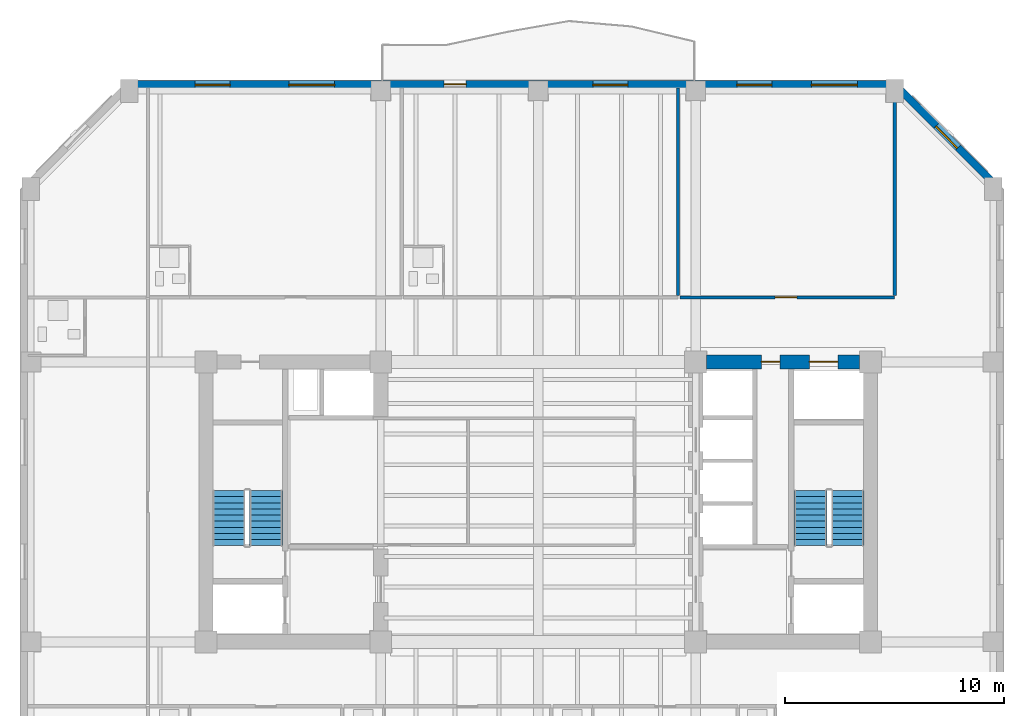
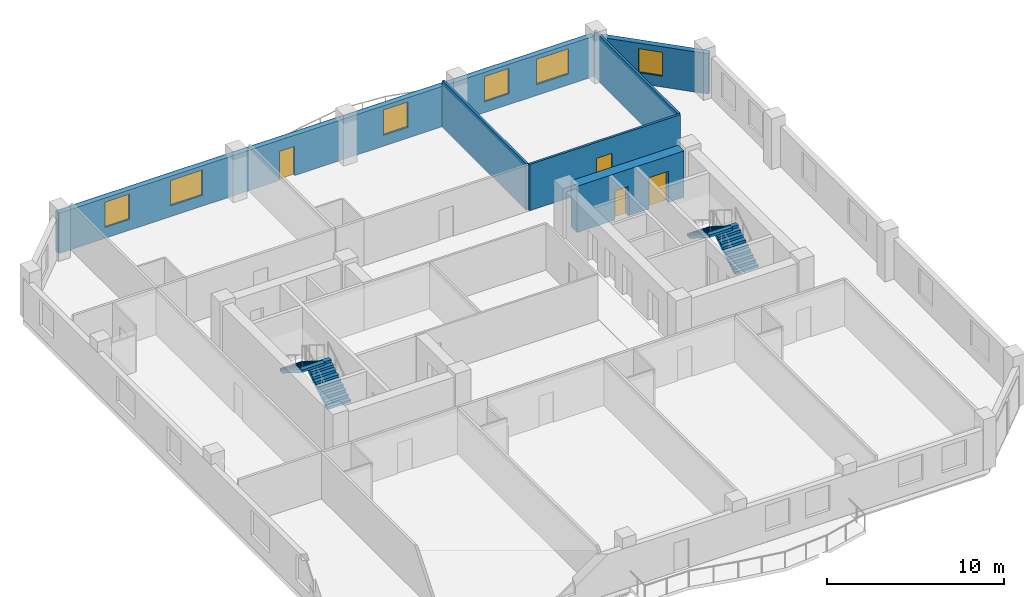
# One storey, part 5 of 10: 6 walls, 6 windows, 4 doors, 4 stair flights, 10 openings, 2 elements without a shape of their own.
"""IFC4 building model written with IfcOpenShell, lengths in metres."""

from ifc_helpers import new_model, si_unit, direction, frame, frame_2d, origin, place, context, subcontext, project, spatial, polyline, rectangle, outline, extrude, material, layer, layer_set, type_object, element, fill, aggregate, save


model = new_model("IFC4")

# Units and contexts
model_context = context("Model", 3, precision=1e-05, world=origin(), true_north=direction((0.0, 1.0)))
body_context = subcontext(model_context, "Body", "Model", "MODEL_VIEW")
ifc_project = project(units=[si_unit("LENGTHUNIT", "METRE"), si_unit("AREAUNIT", "SQUARE_METRE"), si_unit("VOLUMEUNIT", "CUBIC_METRE"), si_unit("PLANEANGLEUNIT", "RADIAN"), si_unit("MASSUNIT", "GRAM", prefix="KILO")], contexts=[model_context])

# Site, building, storey
site_placement = place(None, origin())
site = spatial("IfcSite", under=ifc_project, at=site_placement, CompositionType="ELEMENT")
building_placement = place(site_placement, origin())
building = spatial("IfcBuilding", under=site, at=building_placement, Name="Kranthara Brick Stack", CompositionType="ELEMENT")
storey_placement = place(building_placement, frame((0.0, 0.0, 127.300048828125)))
storey = spatial("IfcBuildingStorey", under=building, at=storey_placement, Name="L31", CompositionType="ELEMENT", Elevation=127.300048828125)

# Wall, openings, door, windows
ifc_material_1 = material(Name="Kiln-fired clay brick masonry M15", Category="masonry")
ifc_layer_1 = layer(ifc_material_1, 0.35009765625)
ifc_layer_set_1 = layer_set([ifc_layer_1], Name="Kiln-fired clay brick masonry M15")
wall_type_1 = type_object("IfcWallType", Name="WL-BRK-SPND-350", PredefinedType="STANDARD", material=ifc_layer_set_1)
wall_1_placement = place(storey_placement, frame((9.300048828125, 46.304931640625, 0.0), z_axis=(0.0, 0.0, 1.0), x_axis=(1.0, 0.0, 0.0)))
wall_1 = element("IfcWall", 1, at=wall_1_placement, inside=storey, type_object=wall_type_1, Name="L31 Exterior Brick Facade Wall NORTH 1", PredefinedType="STANDARD", context=body_context, shape_type="SweptSolid", body=[
    extrude(rectangle(XDim=35.0, YDim=0.35009765625, at=frame_2d((17.5, 0.0))), origin(), (0.0, 0.0, 1.0), 2.784912109375),
])
opening_1_placement = place(wall_1_placement, frame((14.39990234375, 0.0, 0.0)))
opening_1 = element("IfcOpeningElement", 2, at=opening_1_placement, cuts=wall_1, Name="Opening D03", PredefinedType="OPENING", context=body_context, shape_type="SweptSolid", body=[
    extrude(rectangle(XDim=1.0, YDim=2.02001953125, at=frame_2d((0.5, 1.010009765625))), frame((0.0, 0.18505859375, 0.0), z_axis=(0.0, -1.0, 0.0), x_axis=(1.0, 0.0, 0.0)), (0.0, 0.0, 1.0), 0.3701171875),
])
opening_2_placement = place(wall_1_placement, frame((3.007080078125, 0.0, 0.75)))
opening_2 = element("IfcOpeningElement", 3, at=opening_2_placement, cuts=wall_1, Name="Opening WN04", PredefinedType="OPENING", context=body_context, shape_type="SweptSolid", body=[
    extrude(rectangle(XDim=1.60009765625, YDim=1.75, at=frame_2d((0.800048828125, 0.875))), frame((0.0, 0.18505859375, 0.0), z_axis=(0.0, -1.0, 0.0), x_axis=(1.0, 0.0, 0.0)), (0.0, 0.0, 1.0), 0.3701171875),
])
opening_3_placement = place(wall_1_placement, frame((7.29296875, 0.0, 0.75)))
opening_3 = element("IfcOpeningElement", 4, at=opening_3_placement, cuts=wall_1, Name="Opening WN05", PredefinedType="OPENING", context=body_context, shape_type="SweptSolid", body=[
    extrude(rectangle(XDim=2.10009765625, YDim=1.75, at=frame_2d((1.050048828125, 0.875))), frame((0.0, 0.18505859375, 0.0), z_axis=(0.0, -1.0, 0.0), x_axis=(1.0, 0.0, 0.0)), (0.0, 0.0, 1.0), 0.3701171875),
])
opening_4_placement = place(wall_1_placement, frame((21.197998046875, 0.0, 0.75)))
opening_4 = element("IfcOpeningElement", 5, at=opening_4_placement, cuts=wall_1, Name="Opening WN04", PredefinedType="OPENING", context=body_context, shape_type="SweptSolid", body=[
    extrude(rectangle(XDim=1.60009765625, YDim=1.75, at=frame_2d((0.800048828125, 0.875))), frame((0.0, 0.18505859375, 0.0), z_axis=(0.0, -1.0, 0.0), x_axis=(1.0, 0.0, 0.0)), (0.0, 0.0, 1.0), 0.3701171875),
])
opening_5_placement = place(wall_1_placement, frame((27.782958984375, 0.0, 0.75)))
opening_5 = element("IfcOpeningElement", 6, at=opening_5_placement, cuts=wall_1, Name="Opening WN04", PredefinedType="OPENING", context=body_context, shape_type="SweptSolid", body=[
    extrude(rectangle(XDim=1.60009765625, YDim=1.75, at=frame_2d((0.800048828125, 0.875))), frame((0.0, 0.18505859375, 0.0), z_axis=(0.0, -1.0, 0.0), x_axis=(1.0, 0.0, 0.0)), (0.0, 0.0, 1.0), 0.3701171875),
])
opening_6_placement = place(wall_1_placement, frame((31.19189453125, 0.0, 0.75)))
opening_6 = element("IfcOpeningElement", 7, at=opening_6_placement, cuts=wall_1, Name="Opening WN05", PredefinedType="OPENING", context=body_context, shape_type="SweptSolid", body=[
    extrude(rectangle(XDim=2.10009765625, YDim=1.75, at=frame_2d((1.050048828125, 0.875))), frame((0.0, 0.18505859375, 0.0), z_axis=(0.0, -1.0, 0.0), x_axis=(1.0, 0.0, 0.0)), (0.0, 0.0, 1.0), 0.3701171875),
])
ifc_material_2 = material(Name="Bronze anodised aluminium and laminated glass", Category="aluminium")
door_type_1 = type_object("IfcDoorType", Name="DR-BALC-1000", OperationType="NOTDEFINED", PredefinedType="DOOR", material=ifc_material_2)
door_1_placement = place(opening_1_placement, origin())
door_1 = element("IfcDoor", 8, at=door_1_placement, inside=storey, type_object=door_type_1, Name="L31 North Balcony Terrace Door", OperationType="SINGLE_SWING_RIGHT", OverallHeight=2.02001953125, OverallWidth=1.0, PredefinedType="DOOR", context=body_context, shape_type="SweptSolid", body=[
    extrude(rectangle(XDim=1.0, YDim=2.02001953125, at=frame_2d((0.5, 1.010009765625))), frame((0.0, 0.02490234375, 0.0), z_axis=(0.0, -1.0, 0.0), x_axis=(1.0, 0.0, 0.0)), (0.0, 0.0, 1.0), 0.050048828125),
])
fill(opening_1, door_1)
ifc_material_3 = material(Name="Double-glazed low-E solar control glass", Category="glass")
window_type_1 = type_object("IfcWindowType", Name="WN-HTL-1600x1850", PartitioningType="DOUBLE_PANEL_VERTICAL", PredefinedType="WINDOW", material=ifc_material_3)
window_1_placement = place(opening_2_placement, origin())
window_1 = element("IfcWindow", 9, at=window_1_placement, inside=storey, type_object=window_type_1, Name="L31 North Deep-Set Brick Window 01", OverallHeight=1.75, OverallWidth=1.60009765625, PartitioningType="SINGLE_PANEL", PredefinedType="WINDOW", context=body_context, shape_type="SweptSolid", body=[
    extrude(rectangle(XDim=1.60009765625, YDim=1.75, at=frame_2d((0.800048828125, 0.875))), frame((0.0, -0.010009765625, 0.0), z_axis=(0.0, -1.0, 0.0), x_axis=(1.0, 0.0, 0.0)), (0.0, 0.0, 1.0), 0.06005859375),
])
fill(opening_2, window_1)
window_2_placement = place(opening_4_placement, origin())
window_2 = element("IfcWindow", 10, at=window_2_placement, inside=storey, type_object=window_type_1, Name="L31 North Deep-Set Brick Window 03", OverallHeight=1.75, OverallWidth=1.60009765625, PartitioningType="SINGLE_PANEL", PredefinedType="WINDOW", context=body_context, shape_type="SweptSolid", body=[
    extrude(rectangle(XDim=1.60009765625, YDim=1.75, at=frame_2d((0.800048828125, 0.875))), frame((0.0, -0.010009765625, 0.0), z_axis=(0.0, -1.0, 0.0), x_axis=(1.0, 0.0, 0.0)), (0.0, 0.0, 1.0), 0.06005859375),
])
fill(opening_4, window_2)
window_3_placement = place(opening_5_placement, origin())
window_3 = element("IfcWindow", 11, at=window_3_placement, inside=storey, type_object=window_type_1, Name="L31 North Deep-Set Brick Window 04", OverallHeight=1.75, OverallWidth=1.60009765625, PartitioningType="SINGLE_PANEL", PredefinedType="WINDOW", context=body_context, shape_type="SweptSolid", body=[
    extrude(rectangle(XDim=1.60009765625, YDim=1.75, at=frame_2d((0.800048828125, 0.875))), frame((0.0, -0.010009765625, 0.0), z_axis=(0.0, -1.0, 0.0), x_axis=(1.0, 0.0, 0.0)), (0.0, 0.0, 1.0), 0.06005859375),
])
fill(opening_5, window_3)
ifc_material_4 = material(Name="Double-glazed low-E solar control glass", Category="glass")
window_type_2 = type_object("IfcWindowType", Name="WN-HTL-2100x1850", PartitioningType="DOUBLE_PANEL_VERTICAL", PredefinedType="WINDOW", material=ifc_material_4)
window_4_placement = place(opening_3_placement, origin())
window_4 = element("IfcWindow", 12, at=window_4_placement, inside=storey, type_object=window_type_2, Name="L31 North Deep-Set Brick Window 02", OverallHeight=1.75, OverallWidth=2.10009765625, PartitioningType="SINGLE_PANEL", PredefinedType="WINDOW", context=body_context, shape_type="SweptSolid", body=[
    extrude(rectangle(XDim=2.10009765625, YDim=1.75, at=frame_2d((1.050048828125, 0.875))), frame((0.0, -0.010009765625, 0.0), z_axis=(0.0, -1.0, 0.0), x_axis=(1.0, 0.0, 0.0)), (0.0, 0.0, 1.0), 0.06005859375),
])
fill(opening_3, window_4)
window_5_placement = place(opening_6_placement, origin())
window_5 = element("IfcWindow", 13, at=window_5_placement, inside=storey, type_object=window_type_2, Name="L31 North Deep-Set Brick Window 05", OverallHeight=1.75, OverallWidth=2.10009765625, PartitioningType="SINGLE_PANEL", PredefinedType="WINDOW", context=body_context, shape_type="SweptSolid", body=[
    extrude(rectangle(XDim=2.10009765625, YDim=1.75, at=frame_2d((1.050048828125, 0.875))), frame((0.0, -0.010009765625, 0.0), z_axis=(0.0, -1.0, 0.0), x_axis=(1.0, 0.0, 0.0)), (0.0, 0.0, 1.0), 0.06005859375),
])
fill(opening_6, window_5)

# Wall, opening, window
wall_2_placement = place(storey_placement, frame((44.300048828125, 46.304931640625, 0.0), z_axis=(0.0, 0.0, 1.0), x_axis=(0.707106781187, -0.707106781187, 0.0)))
wall_2 = element("IfcWall", 14, at=wall_2_placement, inside=storey, type_object=wall_type_1, Name="L31 Exterior Brick Facade Wall NE 1", PredefinedType="STANDARD", context=body_context, shape_type="SweptSolid", body=[
    extrude(rectangle(XDim=6.795166015625, YDim=0.35009765625, at=frame_2d((3.3974609375, 0.0))), origin(), (0.0, 0.0, 1.0), 2.784912109375),
])
opening_7_placement = place(wall_2_placement, frame((2.697998046875, 0.0, 0.75)))
opening_7 = element("IfcOpeningElement", 15, at=opening_7_placement, cuts=wall_2, Name="Opening WN10", PredefinedType="OPENING", context=body_context, shape_type="SweptSolid", body=[
    extrude(rectangle(XDim=1.39990234375, YDim=1.64990234375, at=frame_2d((0.699951171875, 0.824951171875))), frame((0.0, 0.18505859375, 0.0), z_axis=(0.0, -1.0, 0.0), x_axis=(1.0, 0.0, 0.0)), (0.0, 0.0, 1.0), 0.3701171875),
])
ifc_material_5 = material(Name="Double-glazed low-E solar control glass", Category="glass")
window_type_3 = type_object("IfcWindowType", Name="WN-CHM-1400x1750", PartitioningType="SINGLE_PANEL", PredefinedType="WINDOW", material=ifc_material_5)
window_6_placement = place(opening_7_placement, origin())
window_6 = element("IfcWindow", 16, at=window_6_placement, inside=storey, type_object=window_type_3, Name="L31 NE Chamfer Corner Window", OverallHeight=1.64990234375, OverallWidth=1.39990234375, PartitioningType="SINGLE_PANEL", PredefinedType="WINDOW", context=body_context, shape_type="SweptSolid", body=[
    extrude(rectangle(XDim=1.39990234375, YDim=1.64990234375, at=frame_2d((0.699951171875, 0.824951171875))), frame((0.0, -0.010009765625, 0.0), z_axis=(0.0, -1.0, 0.0), x_axis=(1.0, 0.0, 0.0)), (0.0, 0.0, 1.0), 0.06005859375),
])
fill(opening_7, window_6)

# Wall, openings, doors
ifc_material_6 = material(Name="Concrete C60/75", Category="concrete")
ifc_layer_2 = layer(ifc_material_6, 0.64990234375)
ifc_layer_set_2 = layer_set([ifc_layer_2], Name="Concrete C60/75")
wall_type_2 = type_object("IfcWallType", Name="WL-CORE-650", PredefinedType="SHEAR", material=ifc_layer_set_2)
wall_3_placement = place(storey_placement, frame((35.705078125, 33.60009765625, 0.0), z_axis=(0.0, 0.0, 1.0), x_axis=(1.0, 0.0, 0.0)))
wall_3 = element("IfcWall", 17, at=wall_3_placement, inside=storey, type_object=wall_type_2, Name="L31 East Core Shear Wall North", PredefinedType="SHEAR", context=body_context, shape_type="SweptSolid", body=[
    extrude(rectangle(XDim=6.989990234375, YDim=0.64990234375, at=frame_2d((3.4951171875, 0.0))), origin(), (0.0, 0.0, 1.0), 3.199951171875),
])
opening_8_placement = place(wall_3_placement, frame((4.695068359375, 0.0, 0.0)))
opening_8 = element("IfcOpeningElement", 18, at=opening_8_placement, cuts=wall_3, Name="Opening LD03", PredefinedType="OPENING", context=body_context, shape_type="SweptSolid", body=[
    extrude(rectangle(XDim=1.300048828125, YDim=2.14990234375, at=frame_2d((0.64990234375, 1.074951171875))), frame((0.0, 0.3349609375, 0.0), z_axis=(0.0, -1.0, 0.0), x_axis=(1.0, 0.0, 0.0)), (0.0, 0.0, 1.0), 0.669921875),
])
opening_9_placement = place(wall_3_placement, frame((2.4951171875, 0.0, 0.0)))
opening_9 = element("IfcOpeningElement", 19, at=opening_9_placement, cuts=wall_3, Name="Opening D10", PredefinedType="OPENING", context=body_context, shape_type="SweptSolid", body=[
    extrude(rectangle(XDim=0.85009765625, YDim=2.02001953125, at=frame_2d((0.425048828125, 1.010009765625))), frame((0.0, 0.3349609375, 0.0), z_axis=(0.0, -1.0, 0.0), x_axis=(1.0, 0.0, 0.0)), (0.0, 0.0, 1.0), 0.669921875),
])
ifc_material_7 = material(Name="Stainless steel sliding landing door", Category="steel")
door_type_2 = type_object("IfcDoorType", Name="DR-LD-SV1300", OperationType="DOUBLE_DOOR_SLIDING", PredefinedType="DOOR", material=ifc_material_7)
door_2_placement = place(opening_8_placement, origin())
door_2 = element("IfcDoor", 20, at=door_2_placement, inside=storey, type_object=door_type_2, Name="L31 Stretcher Service Lift SV-01 Landing Door", OperationType="DOUBLE_DOOR_SLIDING", OverallHeight=2.14990234375, OverallWidth=1.300048828125, PredefinedType="DOOR", context=body_context, shape_type="SweptSolid", body=[
    extrude(rectangle(XDim=1.300048828125, YDim=2.14990234375, at=frame_2d((0.64990234375, 1.074951171875))), frame((0.0, 0.02490234375, 0.0), z_axis=(0.0, -1.0, 0.0), x_axis=(1.0, 0.0, 0.0)), (0.0, 0.0, 1.0), 0.050048828125),
])
fill(opening_8, door_2)
ifc_material_8 = material(Name="Solid-core hardwood timber leaf in steel frame", Category="steel")
door_type_3 = type_object("IfcDoorType", Name="DR-RSR-850", OperationType="NOTDEFINED", PredefinedType="DOOR", material=ifc_material_8)
door_3_placement = place(opening_9_placement, origin())
door_3 = element("IfcDoor", 21, at=door_3_placement, inside=storey, type_object=door_type_3, Name="L31 East Core Service Room Door", OperationType="SINGLE_SWING_LEFT", OverallHeight=2.02001953125, OverallWidth=0.85009765625, PredefinedType="DOOR", context=body_context, shape_type="SweptSolid", body=[
    extrude(rectangle(XDim=0.85009765625, YDim=2.02001953125, at=frame_2d((0.425048828125, 1.010009765625))), frame((0.0, 0.02490234375, 0.0), z_axis=(0.0, -1.0, 0.0), x_axis=(1.0, 0.0, 0.0)), (0.0, 0.0, 1.0), 0.050048828125),
])
fill(opening_9, door_3)

# Wall
ifc_material_9 = material(Name="Fire-rated gypsum board partition", Category="other")
ifc_layer_3 = layer(ifc_material_9, 0.14990234375)
ifc_layer_set_3 = layer_set([ifc_layer_3], Name="Fire-rated gypsum board partition")
wall_type_3 = type_object("IfcWallType", Name="WL-PART-150", PredefinedType="PARTITIONING", material=ifc_layer_set_3)
wall_4_placement = place(storey_placement, frame((34.39599609375, 36.6298828125, 0.0), z_axis=(0.0, 0.0, 1.0), x_axis=(0.0, 1.0, 0.0)))
element("IfcWall", 22, at=wall_4_placement, inside=storey, type_object=wall_type_3, Name="L31 Interior Partition 036", PredefinedType="PARTITIONING", context=body_context, shape_type="SweptSolid", body=[
    extrude(rectangle(XDim=9.4951171875, YDim=0.14990234375, at=frame_2d((4.74755859375, 0.0))), origin(), (0.0, 0.0, 1.0), 3.199951171875),
])

# Wall, opening, door
wall_5_placement = place(storey_placement, frame((34.47607421875, 36.550048828125, 0.0), z_axis=(0.0, 0.0, 1.0), x_axis=(1.0, 0.0, 0.0)))
wall_5 = element("IfcWall", 23, at=wall_5_placement, inside=storey, type_object=wall_type_3, Name="L31 Interior Partition 037", PredefinedType="PARTITIONING", context=body_context, shape_type="SweptSolid", body=[
    extrude(rectangle(XDim=9.823974609375, YDim=0.14990234375, at=frame_2d((4.912109375, 0.0))), origin(), (0.0, 0.0, 1.0), 3.199951171875),
])
opening_10_placement = place(wall_5_placement, frame((4.35205078125, 0.0, 0.0)))
opening_10 = element("IfcOpeningElement", 24, at=opening_10_placement, cuts=wall_5, Name="Opening D08", PredefinedType="OPENING", context=body_context, shape_type="SweptSolid", body=[
    extrude(rectangle(XDim=1.0, YDim=2.10009765625, at=frame_2d((0.5, 1.050048828125))), frame((0.0, 0.0849609375, 0.0), z_axis=(0.0, -1.0, 0.0), x_axis=(1.0, 0.0, 0.0)), (0.0, 0.0, 1.0), 0.169921875),
])
ifc_material_10 = material(Name="Solid-core hardwood timber leaf in steel frame", Category="steel")
door_type_4 = type_object("IfcDoorType", Name="DR-FD-1000", OperationType="NOTDEFINED", PredefinedType="DOOR", material=ifc_material_10)
door_4_placement = place(opening_10_placement, origin())
door_4 = element("IfcDoor", 25, at=door_4_placement, inside=storey, type_object=door_type_4, Name="L31 Guest Lounge 15", OperationType="SINGLE_SWING_LEFT", OverallHeight=2.10009765625, OverallWidth=1.0, PredefinedType="DOOR", context=body_context, shape_type="SweptSolid", body=[
    extrude(rectangle(XDim=1.0, YDim=2.10009765625, at=frame_2d((0.5, 1.050048828125))), frame((0.0, 0.02490234375, 0.0), z_axis=(0.0, -1.0, 0.0), x_axis=(1.0, 0.0, 0.0)), (0.0, 0.0, 1.0), 0.050048828125),
])
fill(opening_10, door_4)

# Wall
wall_6_placement = place(storey_placement, frame((44.300048828125, 36.6298828125, 0.0), z_axis=(0.0, 0.0, 1.0), x_axis=(0.0, 1.0, 0.0)))
element("IfcWall", 26, at=wall_6_placement, inside=storey, type_object=wall_type_3, Name="L31 Interior Partition 038", PredefinedType="PARTITIONING", context=body_context, shape_type="SweptSolid", body=[
    extrude(rectangle(XDim=9.4951171875, YDim=0.14990234375, at=frame_2d((4.74755859375, 0.0))), origin(), (0.0, 0.0, 1.0), 3.199951171875),
])

# Stair, stair flights
ifc_material_11 = material(Name="Concrete C45/55", Category="concrete")
stair_type = type_object("IfcStairType", Name="ST-CORE-20R", PredefinedType="HALF_TURN_STAIR", material=ifc_material_11)
stair_1_placement = place(storey_placement, origin())
stair_1 = element("IfcStair", 27, at=stair_1_placement, inside=storey, type_object=stair_type, Name="L31 West Core Protected Exit Stair ST01", PredefinedType="HALF_TURN_STAIR")
ifc_material_12 = material(Name="Concrete C45/55", Category="concrete")
stair_flight_type = type_object("IfcStairFlightType", Name="SFL-RC-20R", PredefinedType="STRAIGHT", material=ifc_material_12)
stair_flight_1_placement = place(storey_placement, frame((15.550048828125, 25.199951171875, 0.0), z_axis=(0.0, 0.0, 1.0), x_axis=(0.0, 1.0, 0.0)))
stair_flight_1 = element("IfcStairFlight", 28, at=stair_flight_1_placement, type_object=stair_flight_type, Name="ST01 flight 1", NumberOfRisers=10, NumberOfTreads=9, PredefinedType="STRAIGHT", RiserHeight=0.175, TreadLength=0.28, context=body_context, shape_type="SweptSolid", body=[
    extrude(outline(polyline([(0.0, 0.0), (0.0, 0.175048828125), (0.280029296875, 0.175048828125), (0.280029296875, 0.35009765625), (0.56005859375, 0.35009765625), (0.56005859375, 0.52490234375), (0.840087890625, 0.52490234375), (0.840087890625, 0.699951171875), (1.1201171875, 0.699951171875), (1.1201171875, 0.875), (1.39990234375, 0.875), (1.39990234375, 1.050048828125), (1.679931640625, 1.050048828125), (1.679931640625, 1.22509765625), (1.9599609375, 1.22509765625), (1.9599609375, 1.39990234375), (2.239990234375, 1.39990234375), (2.239990234375, 1.574951171875), (2.52001953125, 1.574951171875), (2.52001953125, 1.75), (2.52001953125, 1.398193359375), (0.28271484375, 0.0), (0.0, 0.0)])), frame((0.0, 0.75, 0.0), z_axis=(0.0, -1.0, 0.0), x_axis=(1.0, 0.0, 0.0)), (0.0, 0.0, 1.0), 1.5),
])
stair_flight_2_placement = place(storey_placement, frame((13.85009765625, 27.719970703125, 1.75), z_axis=(0.0, 0.0, 1.0), x_axis=(0.0, -1.0, 0.0)))
stair_flight_2 = element("IfcStairFlight", 29, at=stair_flight_2_placement, type_object=stair_flight_type, Name="ST01 flight 2", NumberOfRisers=10, NumberOfTreads=9, PredefinedType="STRAIGHT", RiserHeight=0.175, TreadLength=0.28, context=body_context, shape_type="SweptSolid", body=[
    extrude(outline(polyline([(0.0, 0.0), (0.0, 0.175048828125), (0.280029296875, 0.175048828125), (0.280029296875, 0.35009765625), (0.56005859375, 0.35009765625), (0.56005859375, 0.52490234375), (0.840087890625, 0.52490234375), (0.840087890625, 0.699951171875), (1.1201171875, 0.699951171875), (1.1201171875, 0.875), (1.39990234375, 0.875), (1.39990234375, 1.050048828125), (1.679931640625, 1.050048828125), (1.679931640625, 1.22509765625), (1.9599609375, 1.22509765625), (1.9599609375, 1.39990234375), (2.239990234375, 1.39990234375), (2.239990234375, 1.574951171875), (2.52001953125, 1.574951171875), (2.52001953125, 1.75), (2.52001953125, 1.398193359375), (0.28271484375, 0.0), (0.0, 0.0)])), frame((0.0, 0.75, 0.0), z_axis=(0.0, -1.0, 0.0), x_axis=(1.0, 0.0, 0.0)), (0.0, 0.0, 1.0), 1.5),
])
aggregate(stair_1, [stair_flight_1, stair_flight_2])

stair_2_placement = place(storey_placement, origin())
stair_2 = element("IfcStair", 30, at=stair_2_placement, inside=storey, type_object=stair_type, Name="L31 East Core Protected Exit Stair ST02", PredefinedType="HALF_TURN_STAIR")
stair_flight_3_placement = place(storey_placement, frame((42.14990234375, 25.199951171875, 0.0), z_axis=(0.0, 0.0, 1.0), x_axis=(0.0, 1.0, 0.0)))
stair_flight_3 = element("IfcStairFlight", 31, at=stair_flight_3_placement, type_object=stair_flight_type, Name="ST02 flight 1", NumberOfRisers=10, NumberOfTreads=9, PredefinedType="STRAIGHT", RiserHeight=0.175, TreadLength=0.28, context=body_context, shape_type="SweptSolid", body=[
    extrude(outline(polyline([(0.0, 0.0), (0.0, 0.175048828125), (0.280029296875, 0.175048828125), (0.280029296875, 0.35009765625), (0.56005859375, 0.35009765625), (0.56005859375, 0.52490234375), (0.840087890625, 0.52490234375), (0.840087890625, 0.699951171875), (1.1201171875, 0.699951171875), (1.1201171875, 0.875), (1.39990234375, 0.875), (1.39990234375, 1.050048828125), (1.679931640625, 1.050048828125), (1.679931640625, 1.22509765625), (1.9599609375, 1.22509765625), (1.9599609375, 1.39990234375), (2.239990234375, 1.39990234375), (2.239990234375, 1.574951171875), (2.52001953125, 1.574951171875), (2.52001953125, 1.75), (2.52001953125, 1.398193359375), (0.28271484375, 0.0), (0.0, 0.0)])), frame((0.0, 0.75, 0.0), z_axis=(0.0, -1.0, 0.0), x_axis=(1.0, 0.0, 0.0)), (0.0, 0.0, 1.0), 1.5),
])
stair_flight_4_placement = place(storey_placement, frame((40.449951171875, 27.719970703125, 1.75), z_axis=(0.0, 0.0, 1.0), x_axis=(0.0, -1.0, 0.0)))
stair_flight_4 = element("IfcStairFlight", 32, at=stair_flight_4_placement, type_object=stair_flight_type, Name="ST02 flight 2", NumberOfRisers=10, NumberOfTreads=9, PredefinedType="STRAIGHT", RiserHeight=0.175, TreadLength=0.28, context=body_context, shape_type="SweptSolid", body=[
    extrude(outline(polyline([(0.0, 0.0), (0.0, 0.175048828125), (0.280029296875, 0.175048828125), (0.280029296875, 0.35009765625), (0.56005859375, 0.35009765625), (0.56005859375, 0.52490234375), (0.840087890625, 0.52490234375), (0.840087890625, 0.699951171875), (1.1201171875, 0.699951171875), (1.1201171875, 0.875), (1.39990234375, 0.875), (1.39990234375, 1.050048828125), (1.679931640625, 1.050048828125), (1.679931640625, 1.22509765625), (1.9599609375, 1.22509765625), (1.9599609375, 1.39990234375), (2.239990234375, 1.39990234375), (2.239990234375, 1.574951171875), (2.52001953125, 1.574951171875), (2.52001953125, 1.75), (2.52001953125, 1.398193359375), (0.28271484375, 0.0), (0.0, 0.0)])), frame((0.0, 0.75, 0.0), z_axis=(0.0, -1.0, 0.0), x_axis=(1.0, 0.0, 0.0)), (0.0, 0.0, 1.0), 1.5),
])
aggregate(stair_2, [stair_flight_3, stair_flight_4])

save(model, "model.ifc")
